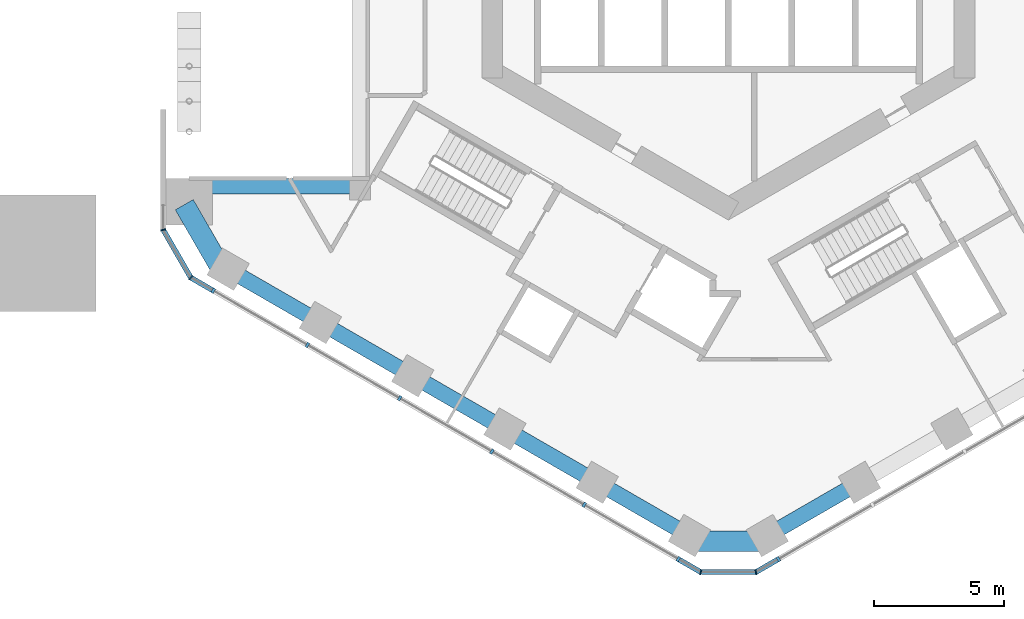
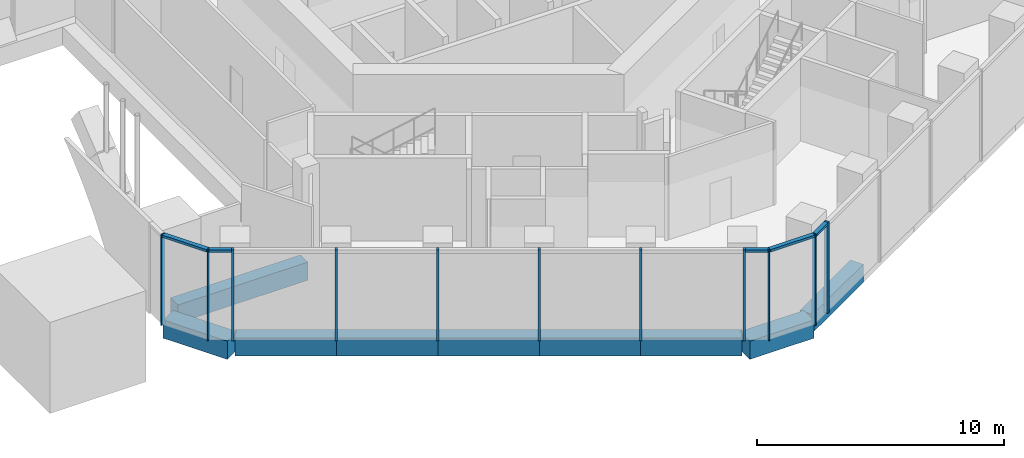
# One storey, part 2 of 14: 16 members, 9 beams, 4 elements without a shape of their own.
"""IFC4 building model written with IfcOpenShell, lengths in metres."""

from ifc_helpers import new_model, si_unit, direction, frame, origin, origin_2d, place, context, subcontext, project, spatial, rectangle, extrude, material, layer, layer_set, material_profile, profile_set, type_object, element, aggregate, save


model = new_model("IFC4")

# Units and contexts
model_context = context("Model", 3, precision=1e-05, world=origin(), true_north=direction((0.0, 1.0)))
body_context = subcontext(model_context, "Body", "Model", "MODEL_VIEW")
ifc_project = project(units=[si_unit("LENGTHUNIT", "METRE"), si_unit("AREAUNIT", "SQUARE_METRE"), si_unit("VOLUMEUNIT", "CUBIC_METRE"), si_unit("PLANEANGLEUNIT", "RADIAN"), si_unit("MASSUNIT", "GRAM", prefix="KILO")], contexts=[model_context])

# Site, building, storey
site_placement = place(None, origin())
site = spatial("IfcSite", under=ifc_project, at=site_placement, CompositionType="ELEMENT")
building_placement = place(site_placement, origin())
building = spatial("IfcBuilding", under=site, at=building_placement, Name="Ayvan Gate Tower", CompositionType="ELEMENT")
storey_placement = place(building_placement, frame((0.0, 0.0, 11.5)))
storey = spatial("IfcBuildingStorey", under=building, at=storey_placement, Name="L02", CompositionType="ELEMENT", Elevation=11.5)

# Beams
ifc_material_1 = material(Name="Concrete C40/50", Category="concrete")
ifc_material_profile_1 = material_profile(ifc_material_1, rectangle(XDim=0.800048828125, YDim=0.89990234375, at=origin_2d()), Name="RC 800x900")
ifc_profile_set_1 = profile_set([ifc_material_profile_1], Name="Concrete C40/50")
beam_type_1 = type_object("IfcBeamType", Name="Corner spandrel beam RC 800x900 C40/50", PredefinedType="BEAM", material=ifc_profile_set_1)
for number, where, z_axis, x_axis, name in (
    (1, (-20.97509765625, -10.3779296875, -0.85009765625), (0.499990139034, -0.866031096941, 0.0), (0.866031096941, 0.499990139034, 0.0), "SB-L02-24"),
    (2, (-1.5, -23.35400390625, -0.85009765625), (1.0, 0.0, 0.0), (0.0, 1.0, 0.0), "SB-L02-30"),
):
    element("IfcBeam", number, at=place(storey_placement, frame(where, z_axis=z_axis, x_axis=x_axis)), inside=storey, type_object=beam_type_1, Name=name, PredefinedType="BEAM", context=body_context, shape_type="SweptSolid", body=[
        extrude(rectangle(XDim=0.800048828125, YDim=0.89990234375, at=origin_2d()), origin(), (0.0, 0.0, 1.0), 3.0),
    ])
ifc_material_profile_2 = material_profile(ifc_material_1, rectangle(XDim=0.60009765625, YDim=0.89990234375, at=origin_2d()), Name="RC 600x900")
ifc_profile_set_2 = profile_set([ifc_material_profile_2], Name="Concrete C40/50")
beam_type_2 = type_object("IfcBeamType", Name="Opening edge beam RC 600x900 C40/50", PredefinedType="BEAM", material=ifc_profile_set_2)
beam_placement = place(storey_placement, frame((-20.28466796875, -9.66796875, -0.85009765625), z_axis=(1.0, 0.0, 0.0), x_axis=(0.0, 1.0, 0.0)))
element("IfcBeam", 3, at=beam_placement, inside=storey, type_object=beam_type_2, Name="OB-L02-3-B", PredefinedType="BEAM", context=body_context, shape_type="SweptSolid", body=[
    extrude(rectangle(XDim=0.60009765625, YDim=0.89990234375, at=origin_2d()), origin(), (0.0, 0.0, 1.0), 6.084716796875),
])
ifc_material_profile_3 = material_profile(ifc_material_1, rectangle(XDim=0.60009765625, YDim=0.89990234375, at=origin_2d()), Name="RC 600x900")
ifc_profile_set_3 = profile_set([ifc_material_profile_3], Name="Concrete C40/50")
beam_type_3 = type_object("IfcBeamType", Name="Spandrel beam RC 600x900 C40/50", PredefinedType="BEAM", material=ifc_profile_set_3)
for number, where, z_axis, x_axis, name in (
    (4, (-19.28466796875, -12.865966796875, -0.85009765625), (0.866010373586, -0.500026032164, 0.0), (0.500026032164, 0.866010373586, 0.0), "SB-L02-25"),
    (5, (-15.727783203125, -14.919677734375, -0.85009765625), (0.866050971923, -0.499955712069, 0.0), (0.499955712069, 0.866050971923, 0.0), "SB-L02-26"),
    (6, (-12.170654296875, -16.97314453125, -0.85009765625), (0.866010373586, -0.500026032164, 0.0), (0.500026032164, 0.866010373586, 0.0), "SB-L02-27"),
    (7, (-8.61376953125, -19.02685546875, -0.85009765625), (0.866036113234, -0.499981450231, 0.0), (0.499981450231, 0.866036113234, 0.0), "SB-L02-28"),
    (8, (-5.056884765625, -21.080322265625, -0.85009765625), (0.866010373586, -0.500026032164, 0.0), (0.500026032164, 0.866010373586, 0.0), "SB-L02-29"),
    (9, (1.5, -23.134033203125, -0.85009765625), (0.866010373586, 0.500026032164, 0.0), (-0.500026032164, 0.866010373586, 0.0), "SB-L02-31"),
):
    element("IfcBeam", number, at=place(storey_placement, frame(where, z_axis=z_axis, x_axis=x_axis)), inside=storey, type_object=beam_type_3, Name=name, PredefinedType="BEAM", context=body_context, shape_type="SweptSolid", body=[
        extrude(rectangle(XDim=0.60009765625, YDim=0.89990234375, at=origin_2d()), origin(), (0.0, 0.0, 1.0), 4.107177734375),
    ])

# Curtain wall, members
ifc_material_2 = material(Name="Bronze anodised aluminium", Category="aluminium")
ifc_layer_1 = layer(ifc_material_2, 0.199951171875)
ifc_layer_set_1 = layer_set([ifc_layer_1], Name="Bronze anodised aluminium")
curtain_wall_type_1 = type_object("IfcCurtainWallType", Name="Stick curtain wall CW-3", PredefinedType="NOTDEFINED", material=ifc_layer_set_1)
curtain_wall_1_placement = place(storey_placement, origin())
curtain_wall_1 = element("IfcCurtainWall", 10, at=curtain_wall_1_placement, inside=storey, type_object=curtain_wall_type_1, Name="Stick curtain wall CW-3 L02", PredefinedType="NOTDEFINED")
ifc_material_profile_4 = material_profile(ifc_material_2, rectangle(XDim=0.199951171875, YDim=0.10009765625, at=origin_2d()), Name="Stick curtain wall CW-3 mullion 200 x 100")
ifc_profile_set_4 = profile_set([ifc_material_profile_4], Name="Bronze anodised aluminium")
member_type_1 = type_object("IfcMemberType", Name="Stick curtain wall CW-3 mullion 200 x 100", PredefinedType="MULLION", material=ifc_profile_set_4)
member_1_placement = place(storey_placement, frame((-19.855224609375, -13.691162109375, 0.0), z_axis=(0.0, 0.0, 1.0), x_axis=(-0.5, -0.866025403784, 0.0)))
member_1 = element("IfcMember", 11, at=member_1_placement, type_object=member_type_1, Name="CW-3 mullion 1", PredefinedType="MULLION", context=body_context, shape_type="SweptSolid", body=[
    extrude(rectangle(XDim=0.199951171875, YDim=0.10009765625, at=origin_2d()), origin(), (0.0, 0.0, 1.0), 4.5),
])
member_2_placement = place(storey_placement, frame((-16.2275390625, -15.78564453125, 0.0), z_axis=(0.0, 0.0, 1.0), x_axis=(-0.5, -0.866025403784, 0.0)))
member_2 = element("IfcMember", 12, at=member_2_placement, type_object=member_type_1, Name="CW-3 mullion 2", PredefinedType="MULLION", context=body_context, shape_type="SweptSolid", body=[
    extrude(rectangle(XDim=0.199951171875, YDim=0.10009765625, at=origin_2d()), origin(), (0.0, 0.0, 1.0), 4.5),
])
member_3_placement = place(storey_placement, frame((-12.670654296875, -17.839111328125, 0.0), z_axis=(0.0, 0.0, 1.0), x_axis=(-0.5, -0.866025403784, 0.0)))
member_3 = element("IfcMember", 13, at=member_3_placement, type_object=member_type_1, Name="CW-3 mullion 3", PredefinedType="MULLION", context=body_context, shape_type="SweptSolid", body=[
    extrude(rectangle(XDim=0.199951171875, YDim=0.10009765625, at=origin_2d()), origin(), (0.0, 0.0, 1.0), 4.5),
])
member_4_placement = place(storey_placement, frame((-9.114013671875, -19.892822265625, 0.0), z_axis=(0.0, 0.0, 1.0), x_axis=(-0.5, -0.866025403784, 0.0)))
member_4 = element("IfcMember", 14, at=member_4_placement, type_object=member_type_1, Name="CW-3 mullion 4", PredefinedType="MULLION", context=body_context, shape_type="SweptSolid", body=[
    extrude(rectangle(XDim=0.199951171875, YDim=0.10009765625, at=origin_2d()), origin(), (0.0, 0.0, 1.0), 4.5),
])
member_5_placement = place(storey_placement, frame((-5.55712890625, -21.9462890625, 0.0), z_axis=(0.0, 0.0, 1.0), x_axis=(-0.5, -0.866025403784, 0.0)))
member_5 = element("IfcMember", 15, at=member_5_placement, type_object=member_type_1, Name="CW-3 mullion 5", PredefinedType="MULLION", context=body_context, shape_type="SweptSolid", body=[
    extrude(rectangle(XDim=0.199951171875, YDim=0.10009765625, at=origin_2d()), origin(), (0.0, 0.0, 1.0), 4.5),
])
member_6_placement = place(storey_placement, frame((-1.92919921875, -24.040771484375, 0.0), z_axis=(0.0, 0.0, 1.0), x_axis=(-0.5, -0.866025403784, 0.0)))
member_6 = element("IfcMember", 16, at=member_6_placement, type_object=member_type_1, Name="CW-3 mullion 6", PredefinedType="MULLION", context=body_context, shape_type="SweptSolid", body=[
    extrude(rectangle(XDim=0.199951171875, YDim=0.10009765625, at=origin_2d()), origin(), (0.0, 0.0, 1.0), 4.5),
])
aggregate(curtain_wall_1, [member_1, member_2, member_3, member_4, member_5, member_6])

# Curtain wall, member
curtain_wall_2_placement = place(storey_placement, origin())
curtain_wall_2 = element("IfcCurtainWall", 17, at=curtain_wall_2_placement, inside=storey, type_object=curtain_wall_type_1, Name="Stick curtain wall CW-3 L02", PredefinedType="NOTDEFINED")
member_7_placement = place(storey_placement, frame((1.92919921875, -24.040771484375, 0.0), z_axis=(0.0, 0.0, 1.0), x_axis=(0.5, -0.866025403784, 0.0)))
member_7 = element("IfcMember", 18, at=member_7_placement, type_object=member_type_1, Name="CW-3 mullion 1", PredefinedType="MULLION", context=body_context, shape_type="SweptSolid", body=[
    extrude(rectangle(XDim=0.199951171875, YDim=0.10009765625, at=origin_2d()), origin(), (0.0, 0.0, 1.0), 4.5),
])
aggregate(curtain_wall_2, [member_7])

# Curtain wall, members
ifc_layer_2 = layer(ifc_material_2, 0.199951171875)
ifc_layer_set_2 = layer_set([ifc_layer_2], Name="Bronze anodised aluminium")
curtain_wall_type_2 = type_object("IfcCurtainWallType", Name="Stick curtain wall CW-6", PredefinedType="NOTDEFINED", material=ifc_layer_set_2)
curtain_wall_3_placement = place(storey_placement, origin())
curtain_wall_3 = element("IfcCurtainWall", 19, at=curtain_wall_3_placement, inside=storey, type_object=curtain_wall_type_2, Name="Stick curtain wall CW-6 L02", PredefinedType="NOTDEFINED")
ifc_material_profile_5 = material_profile(ifc_material_2, rectangle(XDim=0.199951171875, YDim=0.050048828125, at=origin_2d()), Name="Stick curtain wall CW-6 mullion 200 x 50")
ifc_profile_set_5 = profile_set([ifc_material_profile_5], Name="Bronze anodised aluminium")
member_type_2 = type_object("IfcMemberType", Name="Stick curtain wall CW-6 mullion 200 x 50", PredefinedType="MULLION", material=ifc_profile_set_5)
member_8_placement = place(storey_placement, frame((-21.78466796875, -11.349609375, 0.0), z_axis=(0.0, 0.0, 1.0), x_axis=(-0.965925826289, -0.258819045103, 0.0)))
member_8 = element("IfcMember", 20, at=member_8_placement, type_object=member_type_2, Name="CW-6 mullion 2", PredefinedType="MULLION", context=body_context, shape_type="SweptSolid", body=[
    extrude(rectangle(XDim=0.199951171875, YDim=0.050048828125, at=origin_2d()), origin(), (0.0, 0.0, 1.0), 4.5),
])
member_9_placement = place(storey_placement, frame((-20.721435546875, -13.191162109375, 0.0), z_axis=(0.0, 0.0, 1.0), x_axis=(-0.707106781187, -0.707106781187, 0.0)))
member_9 = element("IfcMember", 21, at=member_9_placement, type_object=member_type_2, Name="CW-6 mullion 3", PredefinedType="MULLION", context=body_context, shape_type="SweptSolid", body=[
    extrude(rectangle(XDim=0.199951171875, YDim=0.050048828125, at=origin_2d()), origin(), (0.0, 0.0, 1.0), 4.5),
])

curtain_wall_4_placement = place(storey_placement, origin())
curtain_wall_4 = element("IfcCurtainWall", 22, at=curtain_wall_4_placement, inside=storey, type_object=curtain_wall_type_2, Name="Stick curtain wall CW-6 L02", PredefinedType="NOTDEFINED")
member_10_placement = place(storey_placement, frame((-1.063232421875, -24.540771484375, 0.0), z_axis=(0.0, 0.0, 1.0), x_axis=(-0.258819045103, -0.965925826289, 0.0)))
member_10 = element("IfcMember", 23, at=member_10_placement, type_object=member_type_2, Name="CW-6 mullion 2", PredefinedType="MULLION", context=body_context, shape_type="SweptSolid", body=[
    extrude(rectangle(XDim=0.199951171875, YDim=0.050048828125, at=origin_2d()), origin(), (0.0, 0.0, 1.0), 4.5),
])
member_11_placement = place(storey_placement, frame((1.063232421875, -24.540771484375, 0.0), z_axis=(0.0, 0.0, 1.0), x_axis=(0.258819045103, -0.965925826289, 0.0)))
member_11 = element("IfcMember", 24, at=member_11_placement, type_object=member_type_2, Name="CW-6 mullion 3", PredefinedType="MULLION", context=body_context, shape_type="SweptSolid", body=[
    extrude(rectangle(XDim=0.199951171875, YDim=0.050048828125, at=origin_2d()), origin(), (0.0, 0.0, 1.0), 4.5),
])

# Member
ifc_material_profile_6 = material_profile(ifc_material_2, rectangle(XDim=0.199951171875, YDim=0.1201171875, at=origin_2d()), Name="Stick curtain wall CW-6 transom 200 x 120")
ifc_profile_set_6 = profile_set([ifc_material_profile_6], Name="Bronze anodised aluminium")
member_type_3 = type_object("IfcMemberType", Name="Stick curtain wall CW-6 transom 200 x 120", PredefinedType="USERDEFINED", material=ifc_profile_set_6)
member_12_placement = place(storey_placement, frame((-21.772216796875, -11.371337890625, 4.43994140625), z_axis=(0.500020978615, -0.866013291437, 0.0), x_axis=(0.866013291437, 0.500020978615, 0.0)))
member_12 = element("IfcMember", 25, at=member_12_placement, type_object=member_type_3, Name="CW-6 transom 2", ObjectType="TRANSOM", PredefinedType="USERDEFINED", context=body_context, shape_type="SweptSolid", body=[
    extrude(rectangle(XDim=0.199951171875, YDim=0.1201171875, at=origin_2d()), origin(), (0.0, 0.0, 1.0), 2.07666015625),
])

member_13_placement = place(storey_placement, frame((-20.69970703125, -13.20361328125, 4.43994140625), z_axis=(0.865943820382, -0.500141279983, 0.0), x_axis=(0.500141279983, 0.865943820382, 0.0)))
member_13 = element("IfcMember", 26, at=member_13_placement, type_object=member_type_3, Name="CW-6 transom 3", ObjectType="TRANSOM", PredefinedType="USERDEFINED", context=body_context, shape_type="SweptSolid", body=[
    extrude(rectangle(XDim=0.199951171875, YDim=0.1201171875, at=origin_2d()), origin(), (0.0, 0.0, 1.0), 0.925048828125),
])

aggregate(curtain_wall_3, [member_8, member_9, member_12, member_13])

member_14_placement = place(storey_placement, frame((-1.885986328125, -24.06591796875, 4.43994140625), z_axis=(0.866058118026, -0.49994333299, 0.0), x_axis=(0.49994333299, 0.866058118026, 0.0)))
member_14 = element("IfcMember", 27, at=member_14_placement, type_object=member_type_3, Name="CW-6 transom 1", ObjectType="TRANSOM", PredefinedType="USERDEFINED", context=body_context, shape_type="SweptSolid", body=[
    extrude(rectangle(XDim=0.199951171875, YDim=0.1201171875, at=origin_2d()), origin(), (0.0, 0.0, 1.0), 0.9248046875),
])

member_15_placement = place(storey_placement, frame((-1.038330078125, -24.540771484375, 4.43994140625), z_axis=(1.0, 0.0, 0.0), x_axis=(0.0, 1.0, 0.0)))
member_15 = element("IfcMember", 28, at=member_15_placement, type_object=member_type_3, Name="CW-6 transom 2", ObjectType="TRANSOM", PredefinedType="USERDEFINED", context=body_context, shape_type="SweptSolid", body=[
    extrude(rectangle(XDim=0.199951171875, YDim=0.1201171875, at=origin_2d()), origin(), (0.0, 0.0, 1.0), 2.07666015625),
])

member_16_placement = place(storey_placement, frame((1.0849609375, -24.5283203125, 4.43994140625), z_axis=(0.866058118026, 0.49994333299, 0.0), x_axis=(-0.49994333299, 0.866058118026, 0.0)))
member_16 = element("IfcMember", 29, at=member_16_placement, type_object=member_type_3, Name="CW-6 transom 3", ObjectType="TRANSOM", PredefinedType="USERDEFINED", context=body_context, shape_type="SweptSolid", body=[
    extrude(rectangle(XDim=0.199951171875, YDim=0.1201171875, at=origin_2d()), origin(), (0.0, 0.0, 1.0), 0.9248046875),
])

aggregate(curtain_wall_4, [member_10, member_11, member_14, member_15, member_16])

save(model, "model.ifc")
